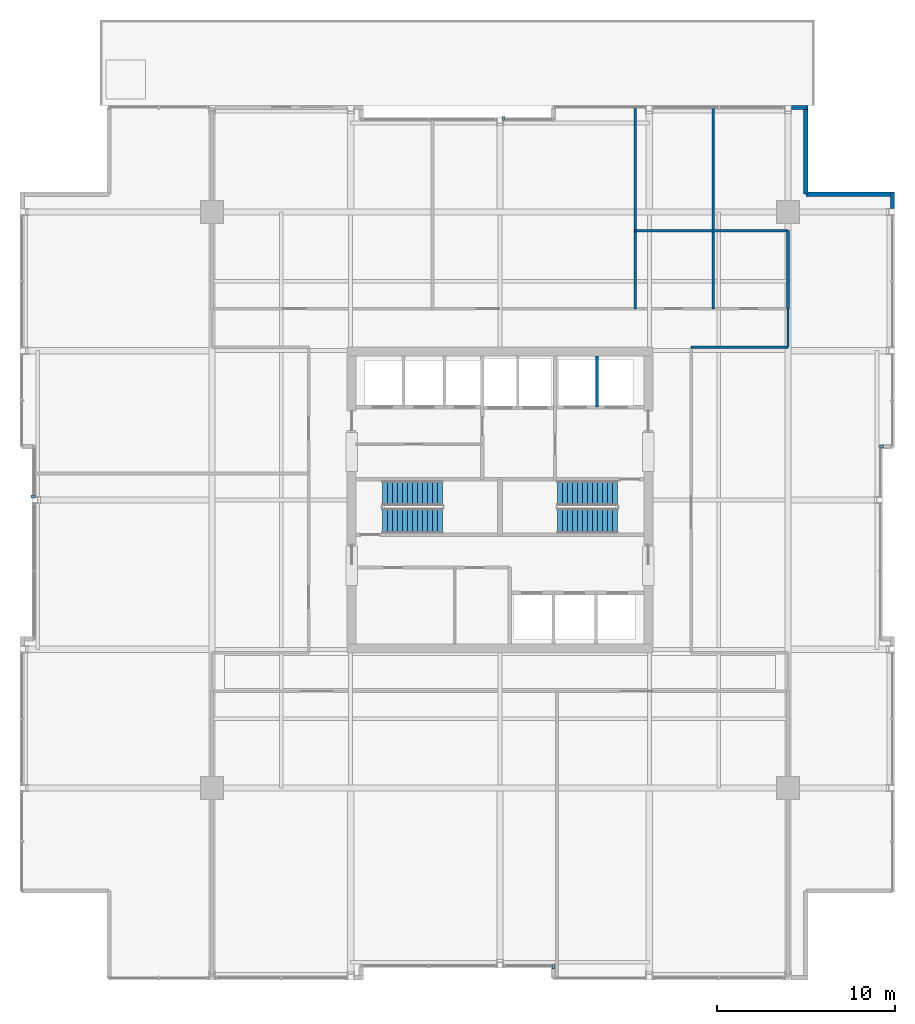
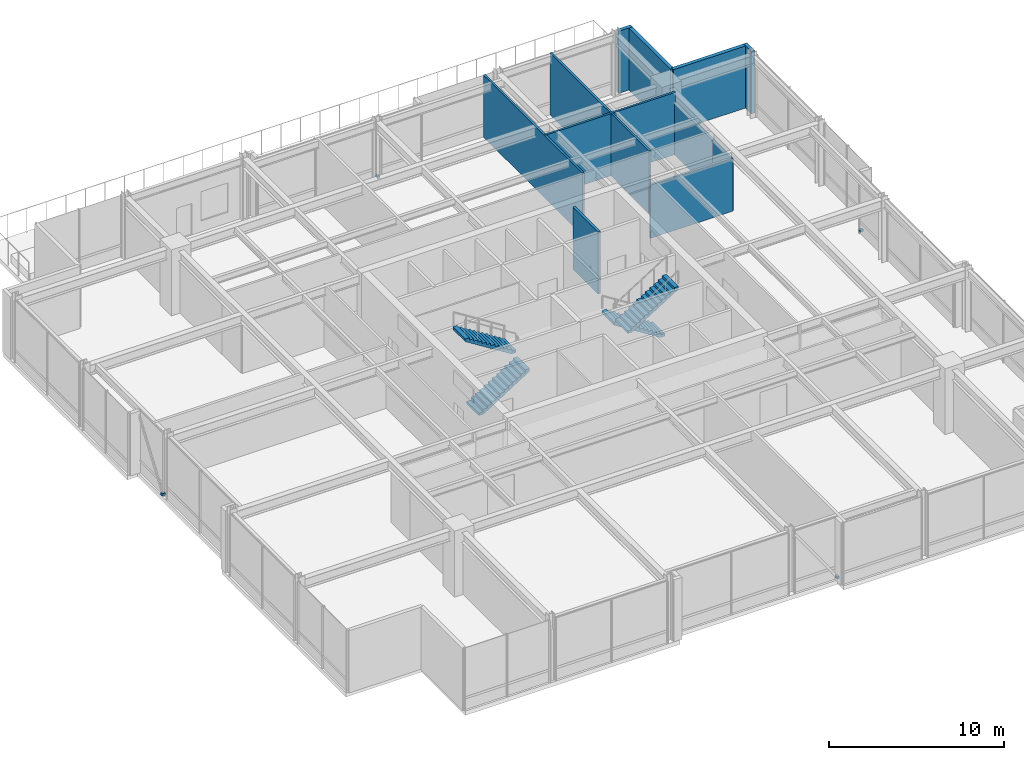
# One storey, part 29 of 32: 11 walls, 4 discrete accessories, 4 stair flights, 2 elements without a shape of their own.
"""IFC4 building model written with IfcOpenShell, lengths in metres."""

from ifc_helpers import new_model, si_unit, direction, frame, frame_2d, origin, origin_2d, place, context, subcontext, project, spatial, polyline, rectangle, outline, extrude, material, layer, layer_set, type_object, element, aggregate, save


model = new_model("IFC4")

# Units and contexts
model_context = context("Model", 3, precision=1e-05, world=origin(), true_north=direction((0.0, 1.0)))
body_context = subcontext(model_context, "Body", "Model", "MODEL_VIEW")
ifc_project = project(units=[si_unit("LENGTHUNIT", "METRE"), si_unit("AREAUNIT", "SQUARE_METRE"), si_unit("VOLUMEUNIT", "CUBIC_METRE"), si_unit("PLANEANGLEUNIT", "RADIAN"), si_unit("MASSUNIT", "GRAM", prefix="KILO")], contexts=[model_context])

# Site, building, storey
site_placement = place(None, origin())
site = spatial("IfcSite", under=ifc_project, at=site_placement, CompositionType="ELEMENT")
building_placement = place(site_placement, origin())
building = spatial("IfcBuilding", under=site, at=building_placement, Name="Drelvath Grand Hotel", CompositionType="ELEMENT")
storey_placement = place(building_placement, frame((0.0, 0.0, 145.800048828125)))
storey = spatial("IfcBuildingStorey", under=building, at=storey_placement, Name="L37", CompositionType="ELEMENT", Elevation=145.800048828125)

# Walls
ifc_material_1 = material(Name="Gypsum Fireboard Partition")
ifc_layer_1 = layer(ifc_material_1, 0.1650390625)
ifc_layer_set_1 = layer_set([ifc_layer_1], Name="Gypsum Fireboard Partition")
wall_type_1 = type_object("IfcWallType", Name="Core Shaft Partition 165", PredefinedType="PARTITIONING", material=ifc_layer_set_1)
wall_1_placement = place(storey_placement, frame((5.449951171875, 32.219970703125, 0.0), z_axis=(0.0, 0.0, 1.0), x_axis=(0.0, 1.0, 0.0)))
element("IfcWall", 1, at=wall_1_placement, inside=storey, type_object=wall_type_1, Name="L37 FSAE Hoistway Divider", PredefinedType="PARTITIONING", context=body_context, shape_type="SweptSolid", body=[
    extrude(rectangle(XDim=2.880126953125, YDim=0.1650390625, at=frame_2d((1.43994140625, 0.0))), origin(), (0.0, 0.0, 1.0), 4.33984375),
])
ifc_layer_2 = layer(ifc_material_1, 0.135009765625)
ifc_layer_set_2 = layer_set([ifc_layer_2], Name="Gypsum Fireboard Partition")
wall_type_2 = type_object("IfcWallType", Name="Corridor Fire Barrier Wall 135", PredefinedType="PARTITIONING", material=ifc_layer_set_2)
wall_2_placement = place(storey_placement, frame((10.75, 35.60009765625, 0.0), z_axis=(0.0, 0.0, 1.0), x_axis=(1.0, 0.0, 0.0)))
element("IfcWall", 2, at=wall_2_placement, inside=storey, type_object=wall_type_2, Name="L37 Sky NE Spur Inner Wall", PredefinedType="PARTITIONING", context=body_context, shape_type="SweptSolid", body=[
    extrude(rectangle(XDim=5.449951171875, YDim=0.135009765625, at=frame_2d((2.72509765625, 0.0))), origin(), (0.0, 0.0, 1.0), 3.71728515625),
])
wall_3_placement = place(storey_placement, frame((16.199951171875, 35.60009765625, 0.0), z_axis=(0.0, 0.0, 1.0), x_axis=(0.0, 1.0, 0.0)))
element("IfcWall", 3, at=wall_3_placement, inside=storey, type_object=wall_type_2, Name="L37 Sky North Foyer East End", PredefinedType="PARTITIONING", context=body_context, shape_type="SweptSolid", body=[
    extrude(rectangle(XDim=2.14990234375, YDim=0.135009765625, at=frame_2d((1.074951171875, 0.0))), origin(), (0.0, 0.0, 1.0), 3.62939453125),
])
ifc_material_2 = material(Name="Moisture-Resistant Gypsum Board")
ifc_layer_3 = layer(ifc_material_2, 0.139892578125)
ifc_layer_set_3 = layer_set([ifc_layer_3], Name="Moisture-Resistant Gypsum Board")
wall_type_3 = type_object("IfcWallType", Name="En-Suite Plumbing Wall 140", PredefinedType="PLUMBINGWALL", material=ifc_layer_set_3)
for number, where, z_axis, x_axis, name in (
    (4, (7.60009765625, 37.75, 0.0), (0.0, 0.0, 1.0), (0.0, 1.0, 0.0), "L37 Sky WC West Wall"),
    (5, (12.0, 37.75, 0.0), (0.0, 0.0, 1.0), (0.0, 1.0, 0.0), "L37 Sky WC Split Wall"),
):
    element("IfcWall", number, at=place(storey_placement, frame(where, z_axis=z_axis, x_axis=x_axis)), inside=storey, type_object=wall_type_3, Name=name, PredefinedType="PLUMBINGWALL", context=body_context, shape_type="SweptSolid", body=[
        extrude(rectangle(XDim=11.330078125, YDim=0.139892578125, at=frame_2d((5.6650390625, 0.0))), origin(), (0.0, 0.0, 1.0), 4.33984375),
    ])
wall_4_placement = place(storey_placement, frame((7.60009765625, 42.14990234375, 0.0), z_axis=(0.0, 0.0, 1.0), x_axis=(1.0, 0.0, 0.0)))
element("IfcWall", 6, at=wall_4_placement, inside=storey, type_object=wall_type_3, Name="L37 Sky WC Back Wall", PredefinedType="PLUMBINGWALL", context=body_context, shape_type="SweptSolid", body=[
    extrude(rectangle(XDim=8.599853515625, YDim=0.139892578125, at=frame_2d((4.2998046875, 0.0))), origin(), (0.0, 0.0, 1.0), 4.33984375),
])
ifc_material_3 = material(Name="Gypsum Acoustic Partition")
ifc_layer_4 = layer(ifc_material_3, 0.1650390625)
ifc_layer_set_4 = layer_set([ifc_layer_4], Name="Gypsum Acoustic Partition")
wall_type_4 = type_object("IfcWallType", Name="Suite Demising Wall 165", PredefinedType="PARTITIONING", material=ifc_layer_set_4)
wall_5_placement = place(storey_placement, frame((16.199951171875, 37.75, 0.0), z_axis=(0.0, 0.0, 1.0), x_axis=(0.0, 1.0, 0.0)))
element("IfcWall", 7, at=wall_5_placement, inside=storey, type_object=wall_type_4, Name="L37 Sky NE Wall", PredefinedType="PARTITIONING", context=body_context, shape_type="SweptSolid", body=[
    extrude(rectangle(XDim=4.39990234375, YDim=0.1650390625, at=frame_2d((2.199951171875, 0.0))), origin(), (0.0, 0.0, 1.0), 3.62939453125),
])
ifc_material_4 = material(Name="Pale-Metal Insulated Aluminium Spandrel Assembly", Category="aluminium")
ifc_layer_5 = layer(ifc_material_4, 0.239990234375)
ifc_layer_set_5 = layer_set([ifc_layer_5], Name="Pale-Metal Insulated Aluminium Spandrel Assembly")
wall_type_5 = type_object("IfcWallType", Name="Tower Insulated Metal Spandrel Closure Wall 240", PredefinedType="STANDARD", material=ifc_layer_set_5)
for number, where, z_axis, x_axis, name in (
    (8, (22.080078125, 44.320068359375, 0.0), (0.0, 0.0, 1.0), (0.0, -1.0, 0.0), "L37 Corner Pier Spandrel Wall EN3"),
    (9, (16.400146484375, 49.080078125, 0.0), (0.0, 0.0, 1.0), (1.0, 0.0, 0.0), "L37 Corner Pier Spandrel Wall NE3"),
):
    element("IfcWall", number, at=place(storey_placement, frame(where, z_axis=z_axis, x_axis=x_axis)), inside=storey, type_object=wall_type_5, Name=name, PredefinedType="STANDARD", context=body_context, shape_type="SweptSolid", body=[
        extrude(rectangle(XDim=0.919921875, YDim=0.239990234375, at=frame_2d((0.4599609375, 0.0))), origin(), (0.0, 0.0, 1.0), 4.33984375),
    ])
for number, where, z_axis, x_axis, name in (
    (10, (17.199951171875, 48.9599609375, 0.0), (0.0, 0.0, 1.0), (0.0, -1.0, 0.0), "L37 Notched Corner Return Spandrel Wall CNE1"),
    (11, (17.199951171875, 44.199951171875, 0.0), (0.0, 0.0, 1.0), (1.0, 0.0, 0.0), "L37 Notched Corner Return Spandrel Wall CNE2"),
):
    element("IfcWall", number, at=place(storey_placement, frame(where, z_axis=z_axis, x_axis=x_axis)), inside=storey, type_object=wall_type_5, Name=name, PredefinedType="STANDARD", context=body_context, shape_type="SweptSolid", body=[
        extrude(rectangle(XDim=4.760009765625, YDim=0.239990234375, at=frame_2d((2.3798828125, 0.0))), origin(), (0.0, 0.0, 1.0), 4.33984375),
    ])

# Stair, stair flights
ifc_material_5 = material(Name="Concrete C40/50", Category="concrete")
stair_type = type_object("IfcStairType", Name="Dogleg Exit Stair W1400-R176.9", PredefinedType="HALF_TURN_STAIR", material=ifc_material_5)
stair_1_placement = place(storey_placement, origin())
stair_1 = element("IfcStair", 12, at=stair_1_placement, inside=storey, type_object=stair_type, Name="L37 Core Exit Stair ST-1", PredefinedType="HALF_TURN_STAIR")
stair_flight_type = type_object("IfcStairFlightType", Name="Concrete Stair Flight W1400-R176.9", PredefinedType="STRAIGHT", material=ifc_material_5)
stair_flight_1_placement = place(storey_placement, frame((-6.60009765625, 25.820068359375, 0.0), z_axis=(0.0, 0.0, 1.0), x_axis=(1.0, 0.0, 0.0)))
stair_flight_1 = element("IfcStairFlight", 13, at=stair_flight_1_placement, type_object=stair_flight_type, Name="ST-1 flight 1", NumberOfRisers=13, NumberOfTreads=12, PredefinedType="STRAIGHT", RiserHeight=0.176923077, TreadLength=0.28, context=body_context, shape_type="SweptSolid", body=[
    extrude(outline(polyline([(0.0, 0.0), (0.0, 0.177001953125), (0.280029296875, 0.177001953125), (0.280029296875, 0.353759765625), (0.56005859375, 0.353759765625), (0.56005859375, 0.53076171875), (0.840087890625, 0.53076171875), (0.840087890625, 0.707763671875), (1.1201171875, 0.707763671875), (1.1201171875, 0.884521484375), (1.39990234375, 0.884521484375), (1.39990234375, 1.0615234375), (1.679931640625, 1.0615234375), (1.679931640625, 1.238525390625), (1.9599609375, 1.238525390625), (1.9599609375, 1.415283203125), (2.239990234375, 1.415283203125), (2.239990234375, 1.59228515625), (2.52001953125, 1.59228515625), (2.52001953125, 1.769287109375), (2.800048828125, 1.769287109375), (2.800048828125, 1.946044921875), (3.080078125, 1.946044921875), (3.080078125, 2.123046875), (3.360107421875, 2.123046875), (3.360107421875, 2.300048828125), (3.360107421875, 1.933837890625), (0.29931640625, 0.0), (0.0, 0.0)])), frame((0.0, 0.699951171875, 0.0), z_axis=(0.0, -1.0, 0.0), x_axis=(1.0, 0.0, 0.0)), (0.0, 0.0, 1.0), 1.39990234375),
])
stair_flight_2_placement = place(storey_placement, frame((-3.239990234375, 27.3798828125, 2.300048828125), z_axis=(0.0, 0.0, 1.0), x_axis=(-1.0, 0.0, 0.0)))
stair_flight_2 = element("IfcStairFlight", 14, at=stair_flight_2_placement, type_object=stair_flight_type, Name="ST-1 flight 2", NumberOfRisers=13, NumberOfTreads=12, PredefinedType="STRAIGHT", RiserHeight=0.176923077, TreadLength=0.28, context=body_context, shape_type="SweptSolid", body=[
    extrude(outline(polyline([(0.0, 0.0), (0.0, 0.177001953125), (0.280029296875, 0.177001953125), (0.280029296875, 0.353759765625), (0.56005859375, 0.353759765625), (0.56005859375, 0.53076171875), (0.840087890625, 0.53076171875), (0.840087890625, 0.707763671875), (1.1201171875, 0.707763671875), (1.1201171875, 0.884521484375), (1.39990234375, 0.884521484375), (1.39990234375, 1.0615234375), (1.679931640625, 1.0615234375), (1.679931640625, 1.238525390625), (1.9599609375, 1.238525390625), (1.9599609375, 1.415283203125), (2.239990234375, 1.415283203125), (2.239990234375, 1.59228515625), (2.52001953125, 1.59228515625), (2.52001953125, 1.769287109375), (2.800048828125, 1.769287109375), (2.800048828125, 1.946044921875), (3.080078125, 1.946044921875), (3.080078125, 2.123046875), (3.360107421875, 2.123046875), (3.360107421875, 2.300048828125), (3.360107421875, 1.933837890625), (0.29931640625, 0.0), (0.0, 0.0)])), frame((0.0, 0.699951171875, 0.0), z_axis=(0.0, -1.0, 0.0), x_axis=(1.0, 0.0, 0.0)), (0.0, 0.0, 1.0), 1.39990234375),
])
aggregate(stair_1, [stair_flight_1, stair_flight_2])

stair_2_placement = place(storey_placement, origin())
stair_2 = element("IfcStair", 15, at=stair_2_placement, inside=storey, type_object=stair_type, Name="L37 Core Exit Stair ST-2", PredefinedType="HALF_TURN_STAIR")
stair_flight_3_placement = place(storey_placement, frame((6.60009765625, 27.3798828125, 0.0), z_axis=(0.0, 0.0, 1.0), x_axis=(-1.0, 0.0, 0.0)))
stair_flight_3 = element("IfcStairFlight", 16, at=stair_flight_3_placement, type_object=stair_flight_type, Name="ST-2 flight 1", NumberOfRisers=13, NumberOfTreads=12, PredefinedType="STRAIGHT", RiserHeight=0.176923077, TreadLength=0.28, context=body_context, shape_type="SweptSolid", body=[
    extrude(outline(polyline([(0.0, 0.0), (0.0, 0.177001953125), (0.280029296875, 0.177001953125), (0.280029296875, 0.353759765625), (0.56005859375, 0.353759765625), (0.56005859375, 0.53076171875), (0.840087890625, 0.53076171875), (0.840087890625, 0.707763671875), (1.1201171875, 0.707763671875), (1.1201171875, 0.884521484375), (1.39990234375, 0.884521484375), (1.39990234375, 1.0615234375), (1.679931640625, 1.0615234375), (1.679931640625, 1.238525390625), (1.9599609375, 1.238525390625), (1.9599609375, 1.415283203125), (2.239990234375, 1.415283203125), (2.239990234375, 1.59228515625), (2.52001953125, 1.59228515625), (2.52001953125, 1.769287109375), (2.800048828125, 1.769287109375), (2.800048828125, 1.946044921875), (3.080078125, 1.946044921875), (3.080078125, 2.123046875), (3.360107421875, 2.123046875), (3.360107421875, 2.300048828125), (3.360107421875, 1.933837890625), (0.29931640625, 0.0), (0.0, 0.0)])), frame((0.0, 0.699951171875, 0.0), z_axis=(0.0, -1.0, 0.0), x_axis=(1.0, 0.0, 0.0)), (0.0, 0.0, 1.0), 1.39990234375),
])
stair_flight_4_placement = place(storey_placement, frame((3.239990234375, 25.820068359375, 2.300048828125), z_axis=(0.0, 0.0, 1.0), x_axis=(1.0, 0.0, 0.0)))
stair_flight_4 = element("IfcStairFlight", 17, at=stair_flight_4_placement, type_object=stair_flight_type, Name="ST-2 flight 2", NumberOfRisers=13, NumberOfTreads=12, PredefinedType="STRAIGHT", RiserHeight=0.176923077, TreadLength=0.28, context=body_context, shape_type="SweptSolid", body=[
    extrude(outline(polyline([(0.0, 0.0), (0.0, 0.177001953125), (0.280029296875, 0.177001953125), (0.280029296875, 0.353759765625), (0.56005859375, 0.353759765625), (0.56005859375, 0.53076171875), (0.840087890625, 0.53076171875), (0.840087890625, 0.707763671875), (1.1201171875, 0.707763671875), (1.1201171875, 0.884521484375), (1.39990234375, 0.884521484375), (1.39990234375, 1.0615234375), (1.679931640625, 1.0615234375), (1.679931640625, 1.238525390625), (1.9599609375, 1.238525390625), (1.9599609375, 1.415283203125), (2.239990234375, 1.415283203125), (2.239990234375, 1.59228515625), (2.52001953125, 1.59228515625), (2.52001953125, 1.769287109375), (2.800048828125, 1.769287109375), (2.800048828125, 1.946044921875), (3.080078125, 1.946044921875), (3.080078125, 2.123046875), (3.360107421875, 2.123046875), (3.360107421875, 2.300048828125), (3.360107421875, 1.933837890625), (0.29931640625, 0.0), (0.0, 0.0)])), frame((0.0, 0.699951171875, 0.0), z_axis=(0.0, -1.0, 0.0), x_axis=(1.0, 0.0, 0.0)), (0.0, 0.0, 1.0), 1.39990234375),
])
aggregate(stair_2, [stair_flight_3, stair_flight_4])

# Discrete accessories
ifc_material_6 = material(Name="Stainless Steel Grade 316", Category="steel")
discrete_accessory_type = type_object("IfcDiscreteAccessoryType", Name="Curtain Wall Fin Mounting Bracket Cleat", PredefinedType="BRACKET", material=ifc_material_6)
for number, where, z_axis, x_axis, name in (
    (18, (-26.260009765625, 27.2001953125, 0.10009765625), (0.0, 0.0, 1.0), (0.0, 1.0, 0.0), "L37 Fin Mounting Bracket CW04-L37-WM2-1"),
    (19, (21.4599609375, 30.0, 0.10009765625), (0.0, 0.0, 1.0), (0.0, -1.0, 0.0), "L37 Fin Mounting Bracket CW04-L37-EM2-1"),
    (20, (0.2001953125, 48.4599609375, 0.10009765625), (0.0, 0.0, 1.0), (1.0, 0.0, 0.0), "L37 Fin Mounting Bracket CW04-L37-NM2-1"),
    (21, (3.0, 0.739990234375, 0.10009765625), (0.0, 0.0, 1.0), (-1.0, 0.0, 0.0), "L37 Fin Mounting Bracket CW04-L37-SM2-1"),
):
    element("IfcDiscreteAccessory", number, at=place(storey_placement, frame(where, z_axis=z_axis, x_axis=x_axis)), inside=storey, type_object=discrete_accessory_type, Name=name, PredefinedType="BRACKET", context=body_context, shape_type="SweptSolid", body=[
        extrude(rectangle(XDim=0.159912109375, YDim=0.239990234375, at=origin_2d()), origin(), (0.0, 0.0, 1.0), 0.159912109375),
    ])

save(model, "model.ifc")
